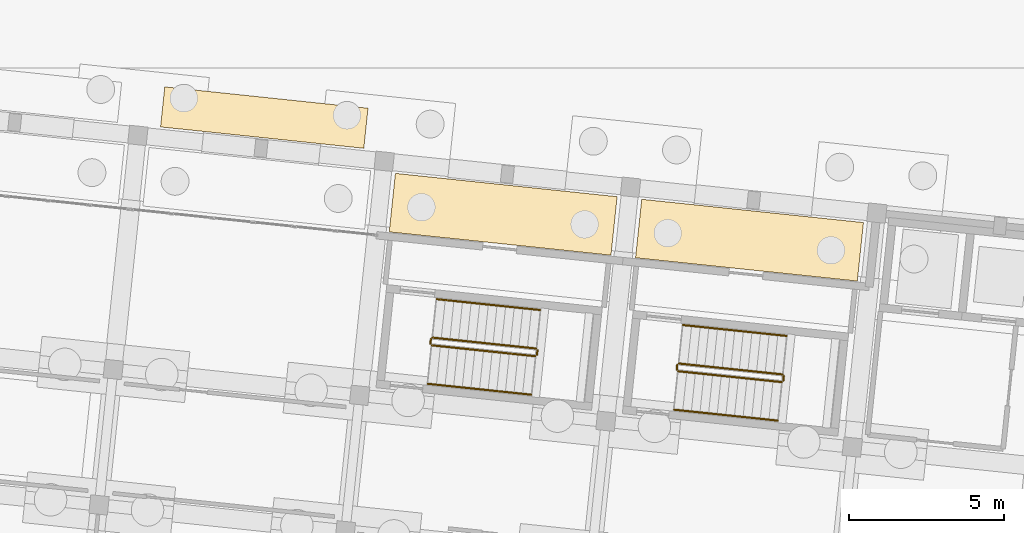
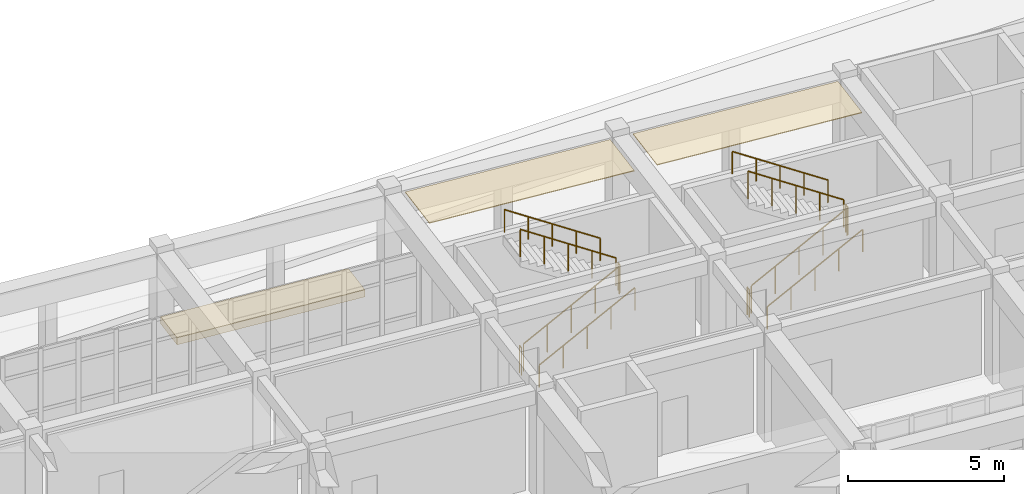
# One storey, part 152 of 154: 12 railings, 3 coverings.
"""IFC4 building model written with IfcOpenShell, lengths in metres."""

import ifcopenshell
import ifcopenshell.guid

model = None  # the IFC model being written
_history = None  # IfcOwnerHistory: only IFC2X3 demands one
_inside = {}  # id of a spatial element -> (the spatial element, [elements in it])
_under = {}  # id of a project, library or spatial element -> (it, [spatial elements below it])
_declared = {}  # id of a project -> (the project, [libraries it declares])
_typed = {}  # id of a type object -> (the type object, [elements of that type])
_made_of = {}  # id of a material, layer set ... -> (it, [elements and type objects made of it])


def new_model(schema):
    """Start an empty IFC model of exactly this schema.

    Asked for "IFC4X3", IfcOpenShell would pick the latest addendum, in which some entities
    have other attributes; the version numbers below select the first issue.
    IFC2X3 requires an IfcOwnerHistory on every rooted entity: one is made here for all.
    """
    global model, _history
    if schema == "IFC4X3":
        model = ifcopenshell.file(schema_version=(4, 3, 0, 0))
    else:
        model = ifcopenshell.file(schema=schema)
    _inside.clear()
    _under.clear()
    _declared.clear()
    _typed.clear()
    _made_of.clear()
    _history = None
    if model.schema == "IFC2X3":
        org = make("IfcOrganization", Name="unknown")
        user = make(
            "IfcPersonAndOrganization",
            ThePerson=make("IfcPerson", FamilyName="unknown"),
            TheOrganization=org,
        )
        app = make(
            "IfcApplication",
            ApplicationDeveloper=org,
            Version="unknown",
            ApplicationFullName="unknown",
            ApplicationIdentifier="unknown",
        )
        _history = make(
            "IfcOwnerHistory",
            OwningUser=user,
            OwningApplication=app,
            ChangeAction="ADDED",
            CreationDate=0,
        )
    return model


def make(cls, **values):
    """One entity of the class cls with the attributes given. An attribute that is None is left unset."""
    return model.create_entity(
        cls, **{name: value for name, value in values.items() if value is not None}
    )


def rooted(cls, **values):
    """An entity with a GlobalId (a new one), such as an element, a storey or a relation."""
    return make(cls, GlobalId=ifcopenshell.guid.new(), OwnerHistory=_history, **values)


def si_unit(unit_type, name, prefix=None):
    """IfcSIUnit, for example si_unit("LENGTHUNIT", "METRE", prefix="MILLI")."""
    return make("IfcSIUnit", UnitType=unit_type, Prefix=prefix, Name=name)


def assignment(units):
    """IfcUnitAssignment: the units of a project."""
    return None if units is None else make("IfcUnitAssignment", Units=units)


def point(xyz):
    """IfcCartesianPoint."""
    return None if xyz is None else make("IfcCartesianPoint", Coordinates=xyz)


def direction(xyz):
    """IfcDirection."""
    return None if xyz is None else make("IfcDirection", DirectionRatios=xyz)


def frame(location, z_axis=None, x_axis=None):
    """IfcAxis2Placement3D, a coordinate frame: its origin and axes. An axis left out is left unset."""
    return make(
        "IfcAxis2Placement3D",
        Location=point(location),
        Axis=direction(z_axis),
        RefDirection=direction(x_axis),
    )


def frame_2d(location, x_axis=None):
    """IfcAxis2Placement2D, a coordinate frame in the plane: its origin and x axis."""
    return make(
        "IfcAxis2Placement2D", Location=point(location), RefDirection=direction(x_axis)
    )


def origin():
    """The frame at (0, 0, 0) with its axes left unset."""
    return frame((0.0, 0.0, 0.0))


def origin_2d():
    """The frame at (0, 0) in the plane with its x axis left unset."""
    return frame_2d((0.0, 0.0))


def place(relative_to, where):
    """IfcLocalPlacement: puts the frame where relative to a parent placement (None: the world)."""
    return make(
        "IfcLocalPlacement", PlacementRelTo=relative_to, RelativePlacement=where
    )


def context(
    kind, dimensions, precision=None, world=None, true_north=None, identifier=None
):
    """IfcGeometricRepresentationContext, for example the 3D "Model" context."""
    return make(
        "IfcGeometricRepresentationContext",
        ContextIdentifier=identifier,
        ContextType=kind,
        CoordinateSpaceDimension=dimensions,
        Precision=precision,
        WorldCoordinateSystem=world,
        TrueNorth=true_north,
    )


def subcontext(parent, identifier, kind, view, scale=None):
    """IfcGeometricRepresentationSubContext, for example "Body" below "Model"."""
    return make(
        "IfcGeometricRepresentationSubContext",
        ContextIdentifier=identifier,
        ContextType=kind,
        ParentContext=parent,
        TargetScale=scale,
        TargetView=view,
    )


def project(units=None, contexts=None):
    """IfcProject with its units and contexts."""
    return rooted(
        "IfcProject",
        Name="project",
        RepresentationContexts=contexts,
        UnitsInContext=assignment(units),
    )


def spatial(cls, under=None, at=None, **own):
    """A site, building, storey or space (cls), placed at a placement, below another one or the project."""
    s = rooted(cls, ObjectPlacement=at, **own)
    if under is not None:
        _under.setdefault(under.id(), (under, []))[1].append(s)
    return s


def polyline(points):
    """IfcPolyline through the points."""
    return make("IfcPolyline", Points=[point(p) for p in points])


def profile(cls, at=None, kind="AREA", **sizes):
    """A parametric profile (cls). Its sizes go by their IFC names, for example OverallWidth=200.0."""
    return make(cls, ProfileType=kind, Position=at, **sizes)


def rectangle(**sizes):
    """IfcRectangleProfileDef."""
    return profile("IfcRectangleProfileDef", **sizes)


def circle(**sizes):
    """IfcCircleProfileDef."""
    return profile("IfcCircleProfileDef", **sizes)


def outline(outer, holes=None, kind="AREA"):
    """IfcArbitraryClosedProfileDef: a profile drawn as a closed curve; with holes, ...WithVoids."""
    if holes is None:
        return make("IfcArbitraryClosedProfileDef", ProfileType=kind, OuterCurve=outer)
    return make(
        "IfcArbitraryProfileDefWithVoids",
        ProfileType=kind,
        OuterCurve=outer,
        InnerCurves=holes,
    )


def extrude(swept, where, along, depth):
    """IfcExtrudedAreaSolid: the profile swept, set in the frame where, extruded along a direction by depth."""
    return make(
        "IfcExtrudedAreaSolid",
        SweptArea=swept,
        Position=where,
        ExtrudedDirection=direction(along),
        Depth=depth,
    )


def shape(context_of_items, identifier, shape_type, items):
    """IfcShapeRepresentation: the items that make up one representation, for example the "Body"."""
    return make(
        "IfcShapeRepresentation",
        ContextOfItems=context_of_items,
        RepresentationIdentifier=identifier,
        RepresentationType=shape_type,
        Items=items,
    )


def material(Name=None, Category=None):
    """IfcMaterial."""
    return make("IfcMaterial", Name=Name, Category=Category)


def layer(
    of_material, thickness, ventilated=None, Name=None, Category=None, Priority=None
):
    """IfcMaterialLayer: one layer of a wall or slab, of a material (None: an air gap)."""
    return make(
        "IfcMaterialLayer",
        Material=of_material,
        LayerThickness=thickness,
        IsVentilated=ventilated,
        Name=Name,
        Category=Category,
        Priority=Priority,
    )


def layer_set(layers, Name=None):
    """IfcMaterialLayerSet."""
    return make("IfcMaterialLayerSet", MaterialLayers=layers, LayerSetName=Name)


def made_of(thing, what):
    """Note that an element or type object is made of a material, layer set ...; save() writes the relation."""
    if what is not None:
        _made_of.setdefault(what.id(), (what, []))[1].append(thing)
    return thing


def type_object(cls, material=None, **own):
    """A type object (cls), such as IfcWallType, which elements share."""
    return made_of(rooted(cls, **own), material)


def element(
    cls,
    number,
    at=None,
    inside=None,
    cuts=None,
    type_object=None,
    material=None,
    context=None,
    identifier="Body",
    shape_type=None,
    held_by="IfcProductDefinitionShape",
    body=None,
    shapes=None,
    **own,
):
    """One element of the class cls, such as IfcWall. Its Tag is "e" and its number.

    at: its placement. inside: the storey or other place that contains it. cuts: it is an
    opening in that element (IfcRelVoidsElement). A single representation is given by context,
    identifier, shape_type and body (its items); several are given by shapes. held_by: the class
    of the entity that holds the representations. save() writes the other relations.
    """
    e = rooted(cls, Tag="e%d" % number, ObjectPlacement=at, **own)
    if body is not None:
        shapes = [shape(context, identifier, shape_type, body)]
    if shapes is not None:
        e.Representation = make(held_by, Representations=shapes)
    if inside is not None:
        _inside.setdefault(inside.id(), (inside, []))[1].append(e)
    if cuts is not None:
        rooted(
            "IfcRelVoidsElement", RelatingBuildingElement=cuts, RelatedOpeningElement=e
        )
    if type_object is not None:
        _typed.setdefault(type_object.id(), (type_object, []))[1].append(e)
    return made_of(e, material)


def aggregate(whole, parts):
    """IfcRelAggregates: a whole, such as a stair, and the parts it consists of."""
    return rooted("IfcRelAggregates", RelatingObject=whole, RelatedObjects=parts)


def save(model, path):
    """Write the relations noted so far, then the file.

    IfcRelAggregates (storeys below a building ...), IfcRelContainedInSpatialStructure (elements
    in a storey), IfcRelDefinesByType, IfcRelAssociatesMaterial and IfcRelDeclares: one each for
    every whole, place, type object, material and project.
    """
    for whole, parts in _under.values():
        aggregate(whole, parts)
    for where, things in _inside.values():
        rooted(
            "IfcRelContainedInSpatialStructure",
            RelatedElements=things,
            RelatingStructure=where,
        )
    for kind, things in _typed.values():
        rooted("IfcRelDefinesByType", RelatedObjects=things, RelatingType=kind)
    for what, things in _made_of.values():
        rooted("IfcRelAssociatesMaterial", RelatedObjects=things, RelatingMaterial=what)
    for by, libraries in _declared.values():
        rooted("IfcRelDeclares", RelatingContext=by, RelatedDefinitions=libraries)
    model.write(path)


model = new_model("IFC4")

# Units and contexts
model_context = context("Model", 3, precision=1e-05, world=origin(), true_north=direction((0.0, 1.0)))
body_context = subcontext(model_context, "Body", "Model", "MODEL_VIEW")
ifc_project = project(units=[si_unit("LENGTHUNIT", "METRE"), si_unit("AREAUNIT", "SQUARE_METRE"), si_unit("VOLUMEUNIT", "CUBIC_METRE"), si_unit("PLANEANGLEUNIT", "RADIAN"), si_unit("MASSUNIT", "GRAM", prefix="KILO")], contexts=[model_context])

# Site, building, storey
site_placement = place(None, origin())
site = spatial("IfcSite", under=ifc_project, at=site_placement, CompositionType="ELEMENT")
building_placement = place(site_placement, origin())
building = spatial("IfcBuilding", under=site, at=building_placement, Name="Kestramere Prow Commons", CompositionType="ELEMENT")
storey_placement = place(building_placement, origin())
storey = spatial("IfcBuildingStorey", under=building, at=storey_placement, Name="L00", CompositionType="ELEMENT", Elevation=0.0)

# Coverings
ifc_material_1 = material(Name="Planted Tropical Rain-Garden Soil and Foliage")
ifc_layer_1 = layer(ifc_material_1, 0.280029296875)
ifc_layer_set_1 = layer_set([ifc_layer_1], Name="Planted Tropical Rain-Garden Soil and Foliage")
covering_type_1 = type_object("IfcCoveringType", Name="COV-PLANT-STRIP", PredefinedType="USERDEFINED", material=ifc_layer_set_1)
covering_placement = place(storey_placement, origin())
element("IfcCovering", 1, at=covering_placement, inside=storey, type_object=covering_type_1, Name="Street Setback Planted Landscape Strip PLST-B-N-2", ObjectType="PLANTED STRIP", PredefinedType="USERDEFINED", context=body_context, shape_type="SweptSolid", body=[
    extrude(outline(polyline([(128.82958984375, 114.18798828125), (135.3935546875, 113.498046875), (135.2578125, 112.205078125), (128.69384765625, 112.89501953125), (128.82958984375, 114.18798828125)])), origin(), (0.0, 0.0, 1.0), 0.280029296875),
])
ifc_material_2 = material(Name="Perforated Aluminium Colonnade Soffit Cladding", Category="aluminium")
ifc_layer_2 = layer(ifc_material_2, 0.030029296875)
ifc_layer_set_2 = layer_set([ifc_layer_2], Name="Perforated Aluminium Colonnade Soffit Cladding")
covering_type_2 = type_object("IfcCoveringType", Name="COV-SOFFIT-ALU", PredefinedType="CLADDING", material=ifc_layer_set_2)
for number, where, z_axis, x_axis, name in (
    (2, (139.759521484375, 110.072998046875, 4.22021484375), (0.0, 0.0, 1.0), (0.994521895368, -0.104528463268, 0.0), "Block B North Colonnade Soffit Panel 4"),
    (3, (147.715576171875, 109.23681640625, 4.22021484375), (0.0, 0.0, 1.0), (0.994521895368, -0.104528463268, 0.0), "Block B North Colonnade Soffit Panel 5"),
):
    element("IfcCovering", number, at=place(storey_placement, frame(where, z_axis=z_axis, x_axis=x_axis)), inside=storey, type_object=covering_type_2, Name=name, PredefinedType="CLADDING", context=body_context, shape_type="SweptSolid", body=[
        extrude(rectangle(XDim=7.199951171875, YDim=1.89990234375, at=origin_2d()), origin(), (0.0, 0.0, 1.0), 0.030029296875),
    ])

# Railings
ifc_material_3 = material(Name="Galvanised Steel S275JR", Category="steel")
railing_type_1 = type_object("IfcRailingType", Name="RL-ST-GR-1100", PredefinedType="GUARDRAIL", material=ifc_material_3)
railing_1_placement = place(storey_placement, frame((137.454345703125, 105.8408203125, 0.173095703125)))
element("IfcRailing", 4, at=railing_1_placement, inside=storey, type_object=railing_type_1, Name="L00 ST-B1 stair guard 1", PredefinedType="GUARDRAIL", context=body_context, shape_type="SweptSolid", body=[
    extrude(circle(Radius=0.02392578125, at=origin_2d()), frame((0.0, 0.0, 1.076171875), z_axis=(0.845968615382, -0.088935479072, 0.525763808522), x_axis=(0.104552409791, 0.994519378196, 0.0)), (0.0, 0.0, 1.0), 3.9501953125),
    extrude(circle(Radius=0.02099609375, at=origin_2d()), origin(), (0.0, 0.0, 1.0), 1.052001953125),
    extrude(circle(Radius=0.02099609375, at=origin_2d()), frame((0.83544921875, -0.087890625, 0.519287109375)), (0.0, 0.0, 1.0), 1.052001953125),
    extrude(circle(Radius=0.02099609375, at=origin_2d()), frame((1.6708984375, -0.17578125, 1.03857421875)), (0.0, 0.0, 1.0), 1.052001953125),
    extrude(circle(Radius=0.02099609375, at=origin_2d()), frame((2.50634765625, -0.263427734375, 1.5576171875)), (0.0, 0.0, 1.0), 1.052001953125),
    extrude(circle(Radius=0.02099609375, at=origin_2d()), frame((3.341796875, -0.351318359375, 2.076904296875)), (0.0, 0.0, 1.0), 1.052001953125),
])
railing_2_placement = place(storey_placement, frame((140.85107421875, 105.533935546875, 2.25)))
element("IfcRailing", 5, at=railing_2_placement, inside=storey, type_object=railing_type_1, Name="L00 ST-B1 stair guard 2", PredefinedType="GUARDRAIL", context=body_context, shape_type="SweptSolid", body=[
    extrude(circle(Radius=0.02392578125, at=origin_2d()), frame((0.0, 0.0, 1.076171875), z_axis=(0.104176375855, 0.994558838236, 0.0), x_axis=(-0.994558838236, 0.104176375855, 0.0)), (0.0, 0.0, 1.0), 0.14990234375),
    extrude(circle(Radius=0.02099609375, at=origin_2d()), origin(), (0.0, 0.0, 1.0), 1.052001953125),
    extrude(circle(Radius=0.02099609375, at=origin_2d()), frame((0.015625, 0.149169921875, 0.0)), (0.0, 0.0, 1.0), 1.052001953125),
])
railing_3_placement = place(storey_placement, frame((140.822265625, 105.738037109375, 2.423095703125)))
element("IfcRailing", 6, at=railing_3_placement, inside=storey, type_object=railing_type_1, Name="L00 ST-B1 stair guard 3", PredefinedType="GUARDRAIL", context=body_context, shape_type="SweptSolid", body=[
    extrude(circle(Radius=0.02392578125, at=origin_2d()), frame((0.0, 0.0, 1.076171875), z_axis=(-0.845951040927, 0.088940129166, 0.52579129869), x_axis=(-0.104559965092, -0.994518583889, 0.0)), (0.0, 0.0, 1.0), 3.949951171875),
    extrude(circle(Radius=0.02099609375, at=origin_2d()), origin(), (0.0, 0.0, 1.0), 1.052001953125),
    extrude(circle(Radius=0.02099609375, at=origin_2d()), frame((-0.83544921875, 0.087890625, 0.519287109375)), (0.0, 0.0, 1.0), 1.052001953125),
    extrude(circle(Radius=0.02099609375, at=origin_2d()), frame((-1.6708984375, 0.17578125, 1.03857421875)), (0.0, 0.0, 1.0), 1.052001953125),
    extrude(circle(Radius=0.02099609375, at=origin_2d()), frame((-2.506103515625, 0.263427734375, 1.5576171875)), (0.0, 0.0, 1.0), 1.052001953125),
    extrude(circle(Radius=0.02099609375, at=origin_2d()), frame((-3.341552734375, 0.351318359375, 2.076904296875)), (0.0, 0.0, 1.0), 1.052001953125),
])
railing_4_placement = place(storey_placement, frame((137.409912109375, 105.895751953125, 0.0)))
element("IfcRailing", 7, at=railing_4_placement, inside=storey, type_object=railing_type_1, Name="L00 ST-B1 stair guard 4", PredefinedType="GUARDRAIL", context=body_context, shape_type="SweptSolid", body=[
    extrude(circle(Radius=0.02392578125, at=origin_2d()), frame((0.0, 0.0, 1.076171875), z_axis=(0.104176375855, 0.994558838236, 0.0), x_axis=(-0.994558838236, 0.104176375855, 0.0)), (0.0, 0.0, 1.0), 0.14990234375),
    extrude(circle(Radius=0.02099609375, at=origin_2d()), origin(), (0.0, 0.0, 1.0), 1.052001953125),
    extrude(circle(Radius=0.02099609375, at=origin_2d()), frame((0.015625, 0.149169921875, 0.0)), (0.0, 0.0, 1.0), 1.052001953125),
])
railing_5_placement = place(storey_placement, frame((145.41064453125, 105.00439453125, 0.173095703125)))
element("IfcRailing", 8, at=railing_5_placement, inside=storey, type_object=railing_type_1, Name="L00 ST-B2 stair guard 1", PredefinedType="GUARDRAIL", context=body_context, shape_type="SweptSolid", body=[
    extrude(circle(Radius=0.02392578125, at=origin_2d()), frame((0.0, 0.0, 1.076171875), z_axis=(0.845955689639, -0.088878810674, 0.525794188044), x_axis=(0.10448809712, 0.994526137193, 0.0)), (0.0, 0.0, 1.0), 3.949951171875),
    extrude(circle(Radius=0.02099609375, at=origin_2d()), origin(), (0.0, 0.0, 1.0), 1.052001953125),
    extrude(circle(Radius=0.02099609375, at=origin_2d()), frame((0.83544921875, -0.087890625, 0.519287109375)), (0.0, 0.0, 1.0), 1.052001953125),
    extrude(circle(Radius=0.02099609375, at=origin_2d()), frame((1.6708984375, -0.175537109375, 1.03857421875)), (0.0, 0.0, 1.0), 1.052001953125),
    extrude(circle(Radius=0.02099609375, at=origin_2d()), frame((2.506103515625, -0.26318359375, 1.5576171875)), (0.0, 0.0, 1.0), 1.052001953125),
    extrude(circle(Radius=0.02099609375, at=origin_2d()), frame((3.341552734375, -0.35107421875, 2.076904296875)), (0.0, 0.0, 1.0), 1.052001953125),
])
railing_6_placement = place(storey_placement, frame((148.80712890625, 104.69775390625, 2.25)))
element("IfcRailing", 9, at=railing_6_placement, inside=storey, type_object=railing_type_1, Name="L00 ST-B2 stair guard 2", PredefinedType="GUARDRAIL", context=body_context, shape_type="SweptSolid", body=[
    extrude(circle(Radius=0.02392578125, at=origin_2d()), frame((0.0, 0.0, 1.076171875), z_axis=(0.104176375855, 0.994558838236, 0.0), x_axis=(-0.994558838236, 0.104176375855, 0.0)), (0.0, 0.0, 1.0), 0.14990234375),
    extrude(circle(Radius=0.02099609375, at=origin_2d()), origin(), (0.0, 0.0, 1.0), 1.052001953125),
    extrude(circle(Radius=0.02099609375, at=origin_2d()), frame((0.015625, 0.149169921875, 0.0)), (0.0, 0.0, 1.0), 1.052001953125),
])
railing_7_placement = place(storey_placement, frame((148.7783203125, 104.90185546875, 2.423095703125)))
element("IfcRailing", 10, at=railing_7_placement, inside=storey, type_object=railing_type_1, Name="L00 ST-B2 stair guard 3", PredefinedType="GUARDRAIL", context=body_context, shape_type="SweptSolid", body=[
    extrude(circle(Radius=0.02392578125, at=origin_2d()), frame((0.0, 0.0, 1.076171875), z_axis=(-0.845951040927, 0.088940129166, 0.52579129869), x_axis=(-0.104559965092, -0.994518583889, 0.0)), (0.0, 0.0, 1.0), 3.949951171875),
    extrude(circle(Radius=0.02099609375, at=origin_2d()), origin(), (0.0, 0.0, 1.0), 1.052001953125),
    extrude(circle(Radius=0.02099609375, at=origin_2d()), frame((-0.83544921875, 0.087890625, 0.519287109375)), (0.0, 0.0, 1.0), 1.052001953125),
    extrude(circle(Radius=0.02099609375, at=origin_2d()), frame((-1.6708984375, 0.17578125, 1.03857421875)), (0.0, 0.0, 1.0), 1.052001953125),
    extrude(circle(Radius=0.02099609375, at=origin_2d()), frame((-2.506103515625, 0.263427734375, 1.5576171875)), (0.0, 0.0, 1.0), 1.052001953125),
    extrude(circle(Radius=0.02099609375, at=origin_2d()), frame((-3.341552734375, 0.351318359375, 2.076904296875)), (0.0, 0.0, 1.0), 1.052001953125),
])
railing_8_placement = place(storey_placement, frame((145.3662109375, 105.059326171875, 0.0)))
element("IfcRailing", 11, at=railing_8_placement, inside=storey, type_object=railing_type_1, Name="L00 ST-B2 stair guard 4", PredefinedType="GUARDRAIL", context=body_context, shape_type="SweptSolid", body=[
    extrude(circle(Radius=0.02392578125, at=origin_2d()), frame((0.0, 0.0, 1.076171875), z_axis=(0.104176375855, 0.994558838236, 0.0), x_axis=(-0.994558838236, 0.104176375855, 0.0)), (0.0, 0.0, 1.0), 0.14990234375),
    extrude(circle(Radius=0.02099609375, at=origin_2d()), origin(), (0.0, 0.0, 1.0), 1.052001953125),
    extrude(circle(Radius=0.02099609375, at=origin_2d()), frame((0.015625, 0.149169921875, 0.0)), (0.0, 0.0, 1.0), 1.052001953125),
])
ifc_material_4 = material(Name="Stainless Steel 304", Category="steel")
railing_type_2 = type_object("IfcRailingType", Name="RL-ST-HR-900", PredefinedType="HANDRAIL", material=ifc_material_4)
railing_9_placement = place(storey_placement, frame((137.32373046875, 104.59765625, 0.34619140625)))
element("IfcRailing", 12, at=railing_9_placement, inside=storey, type_object=railing_type_2, Name="L00 ST-B1 stair handrail 1", PredefinedType="HANDRAIL", context=body_context, shape_type="SweptSolid", body=[
    extrude(circle(Radius=0.02392578125, at=origin_2d()), frame((0.0, 0.0, 0.8759765625), z_axis=(0.845951040927, -0.088940129166, 0.52579129869), x_axis=(0.104559965092, 0.994518583889, 0.0)), (0.0, 0.0, 1.0), 3.949951171875),
    extrude(circle(Radius=0.02099609375, at=origin_2d()), origin(), (0.0, 0.0, 1.0), 0.851806640625),
    extrude(circle(Radius=0.02099609375, at=origin_2d()), frame((0.83544921875, -0.087890625, 0.519287109375)), (0.0, 0.0, 1.0), 0.851806640625),
    extrude(circle(Radius=0.02099609375, at=origin_2d()), frame((1.6708984375, -0.17578125, 1.03857421875)), (0.0, 0.0, 1.0), 0.851806640625),
    extrude(circle(Radius=0.02099609375, at=origin_2d()), frame((2.506103515625, -0.263427734375, 1.5576171875)), (0.0, 0.0, 1.0), 0.851806640625),
    extrude(circle(Radius=0.02099609375, at=origin_2d()), frame((3.341552734375, -0.351318359375, 2.076904296875)), (0.0, 0.0, 1.0), 0.851806640625),
])
railing_10_placement = place(storey_placement, frame((140.952880859375, 106.981201171875, 2.59619140625)))
element("IfcRailing", 13, at=railing_10_placement, inside=storey, type_object=railing_type_2, Name="L00 ST-B1 stair handrail 2", PredefinedType="HANDRAIL", context=body_context, shape_type="SweptSolid", body=[
    extrude(circle(Radius=0.02392578125, at=origin_2d()), frame((0.0, 0.0, 0.8759765625), z_axis=(-0.845951040927, 0.088940129166, 0.52579129869), x_axis=(-0.104559965092, -0.994518583889, 0.0)), (0.0, 0.0, 1.0), 3.949951171875),
    extrude(circle(Radius=0.02099609375, at=origin_2d()), origin(), (0.0, 0.0, 1.0), 0.851806640625),
    extrude(circle(Radius=0.02099609375, at=origin_2d()), frame((-0.83544921875, 0.087890625, 0.519287109375)), (0.0, 0.0, 1.0), 0.851806640625),
    extrude(circle(Radius=0.02099609375, at=origin_2d()), frame((-1.6708984375, 0.17578125, 1.03857421875)), (0.0, 0.0, 1.0), 0.851806640625),
    extrude(circle(Radius=0.02099609375, at=origin_2d()), frame((-2.506103515625, 0.263427734375, 1.5576171875)), (0.0, 0.0, 1.0), 0.851806640625),
    extrude(circle(Radius=0.02099609375, at=origin_2d()), frame((-3.341552734375, 0.351318359375, 2.076904296875)), (0.0, 0.0, 1.0), 0.851806640625),
])
railing_11_placement = place(storey_placement, frame((145.280029296875, 103.76123046875, 0.34619140625)))
element("IfcRailing", 14, at=railing_11_placement, inside=storey, type_object=railing_type_2, Name="L00 ST-B2 stair handrail 1", PredefinedType="HANDRAIL", context=body_context, shape_type="SweptSolid", body=[
    extrude(circle(Radius=0.02392578125, at=origin_2d()), frame((0.0, 0.0, 0.8759765625), z_axis=(0.845955689639, -0.088878810674, 0.525794188044), x_axis=(0.10448809712, 0.994526137193, 0.0)), (0.0, 0.0, 1.0), 3.949951171875),
    extrude(circle(Radius=0.02099609375, at=origin_2d()), origin(), (0.0, 0.0, 1.0), 0.851806640625),
    extrude(circle(Radius=0.02099609375, at=origin_2d()), frame((0.83544921875, -0.087890625, 0.519287109375)), (0.0, 0.0, 1.0), 0.851806640625),
    extrude(circle(Radius=0.02099609375, at=origin_2d()), frame((1.6708984375, -0.175537109375, 1.03857421875)), (0.0, 0.0, 1.0), 0.851806640625),
    extrude(circle(Radius=0.02099609375, at=origin_2d()), frame((2.506103515625, -0.26318359375, 1.5576171875)), (0.0, 0.0, 1.0), 0.851806640625),
    extrude(circle(Radius=0.02099609375, at=origin_2d()), frame((3.341552734375, -0.35107421875, 2.076904296875)), (0.0, 0.0, 1.0), 0.851806640625),
])
railing_12_placement = place(storey_placement, frame((148.908935546875, 106.14501953125, 2.59619140625)))
element("IfcRailing", 15, at=railing_12_placement, inside=storey, type_object=railing_type_2, Name="L00 ST-B2 stair handrail 2", PredefinedType="HANDRAIL", context=body_context, shape_type="SweptSolid", body=[
    extrude(circle(Radius=0.02392578125, at=origin_2d()), frame((0.0, 0.0, 0.8759765625), z_axis=(-0.845951040927, 0.088940129166, 0.52579129869), x_axis=(-0.104559965092, -0.994518583889, 0.0)), (0.0, 0.0, 1.0), 3.949951171875),
    extrude(circle(Radius=0.02099609375, at=origin_2d()), origin(), (0.0, 0.0, 1.0), 0.851806640625),
    extrude(circle(Radius=0.02099609375, at=origin_2d()), frame((-0.83544921875, 0.087890625, 0.519287109375)), (0.0, 0.0, 1.0), 0.851806640625),
    extrude(circle(Radius=0.02099609375, at=origin_2d()), frame((-1.6708984375, 0.17578125, 1.03857421875)), (0.0, 0.0, 1.0), 0.851806640625),
    extrude(circle(Radius=0.02099609375, at=origin_2d()), frame((-2.506103515625, 0.263427734375, 1.5576171875)), (0.0, 0.0, 1.0), 0.851806640625),
    extrude(circle(Radius=0.02099609375, at=origin_2d()), frame((-3.341552734375, 0.351318359375, 2.076904296875)), (0.0, 0.0, 1.0), 0.851806640625),
])

save(model, "model.ifc")
